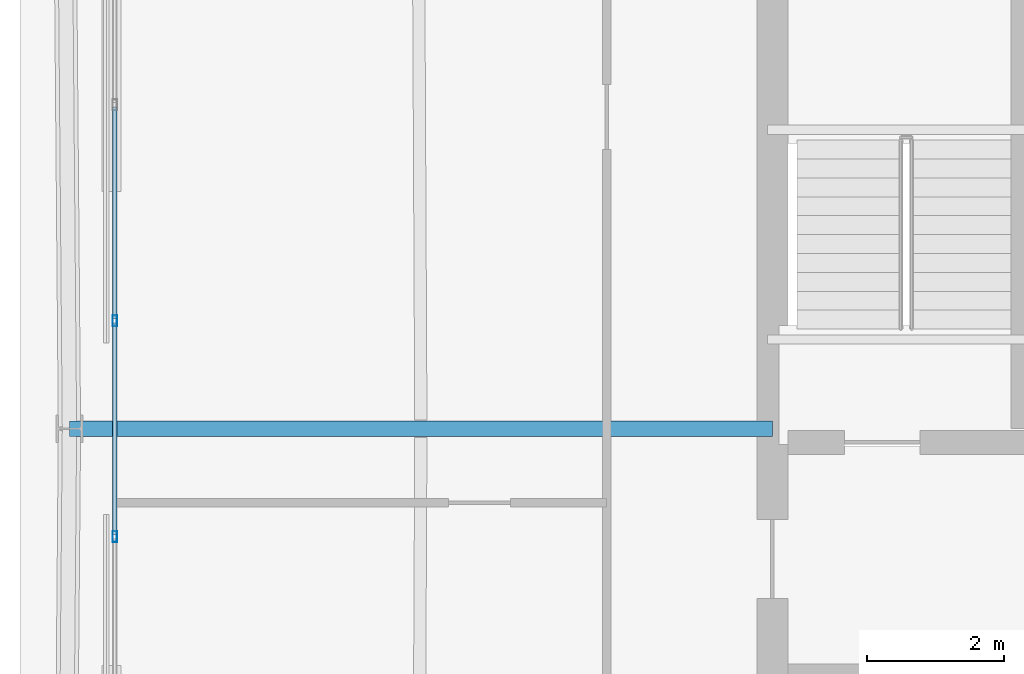
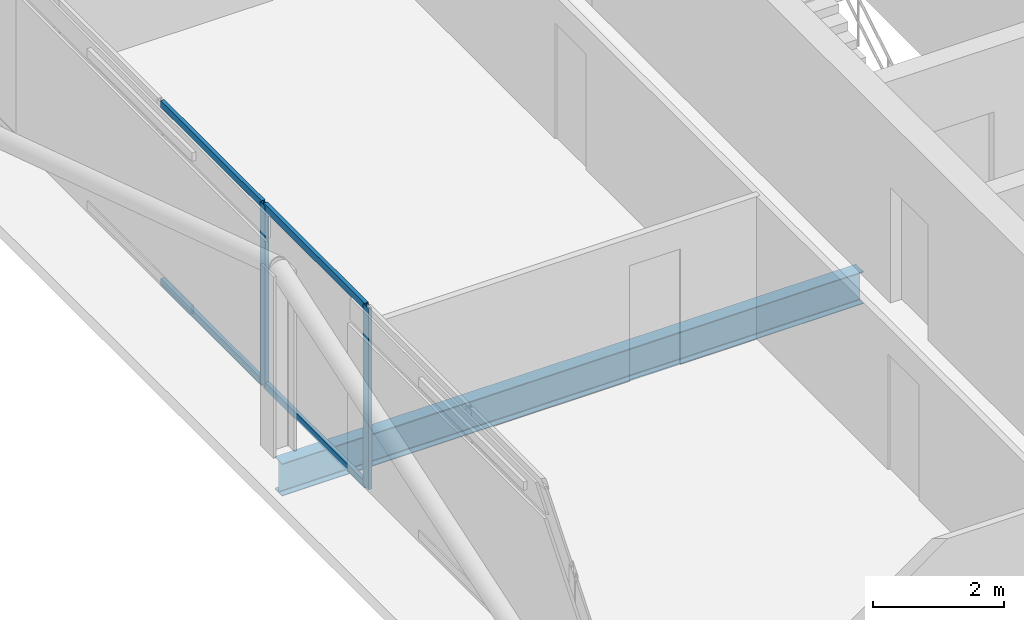
# One storey, part 10 of 26: 6 members, 1 beam, 1 element without a shape of its own.
"""IFC4 building model written with IfcOpenShell, lengths in metres."""

from ifc_helpers import new_model, si_unit, direction, frame, origin, origin_2d, place, context, subcontext, project, spatial, hollow_rectangle, i_section, extrude, material, layer, layer_set, material_profile, profile_set, type_object, element, aggregate, save


model = new_model("IFC4")

# Units and contexts
model_context = context("Model", 3, precision=1e-05, world=origin(), true_north=direction((0.0, 1.0)))
body_context = subcontext(model_context, "Body", "Model", "MODEL_VIEW")
ifc_project = project(units=[si_unit("LENGTHUNIT", "METRE"), si_unit("AREAUNIT", "SQUARE_METRE"), si_unit("VOLUMEUNIT", "CUBIC_METRE"), si_unit("PLANEANGLEUNIT", "RADIAN"), si_unit("MASSUNIT", "GRAM", prefix="KILO")], contexts=[model_context])

# Site, building, storey
site_placement = place(None, origin())
site = spatial("IfcSite", under=ifc_project, at=site_placement, CompositionType="ELEMENT")
building_placement = place(site_placement, origin())
building = spatial("IfcBuilding", under=site, at=building_placement, Name="Caelvoria Tower", CompositionType="ELEMENT")
storey_placement = place(building_placement, frame((0.0, 0.0, 239.39990234375)))
storey = spatial("IfcBuildingStorey", under=building, at=storey_placement, Name="L63", CompositionType="ELEMENT", Elevation=239.39990234375)

# Curtain wall, members
ifc_material_1 = material(Name="Anodised Bronze Aluminium and Low-E Glass", Category="aluminium")
ifc_layer = layer(ifc_material_1, 0.175048828125, Name="Anodised Bronze Aluminium and Low-E Glass")
ifc_layer_set = layer_set([ifc_layer], Name="CW System 4 High-Zone Tapered Crystal Facade - Anodised Bronze Aluminium and Low-E Glass")
curtain_wall_type = type_object("IfcCurtainWallType", Name="CW System 4 High-Zone Tapered Crystal Facade", PredefinedType="NOTDEFINED", material=ifc_layer_set)
curtain_wall_placement = place(storey_placement, origin())
curtain_wall = element("IfcCurtainWall", 1, at=curtain_wall_placement, inside=storey, type_object=curtain_wall_type, Name="CW-04 Curtain Wall L63-E6", PredefinedType="NOTDEFINED")
ifc_material_2 = material(Name="Anodised Bronze Architectural Aluminium", Category="aluminium")
ifc_material_profile_1 = material_profile(ifc_material_2, hollow_rectangle(XDim=0.06494140625, YDim=0.159912109375, WallThickness=0.00390625, at=origin_2d()), Name="Anodised Bronze Architectural Aluminium")
ifc_profile_set_1 = profile_set([ifc_material_profile_1], Name="CW_MULL_65X160 - Anodised Bronze Architectural Aluminium")
member_type_1 = type_object("IfcMemberType", Name="Curtain Wall Mullion 65x160 Bronze Aluminium", PredefinedType="MULLION", material=ifc_profile_set_1)
member_1_placement = place(storey_placement, frame((27.429931640625, 33.571533203125, 0.0), z_axis=(0.0, 0.0, 1.0), x_axis=(1.0, 0.0, 0.0)))
member_1 = element("IfcMember", 2, at=member_1_placement, type_object=member_type_1, Name="CW-04 mullion 4", PredefinedType="MULLION", context=body_context, shape_type="SweptSolid", body=[
    extrude(hollow_rectangle(XDim=0.06494140625, YDim=0.159912109375, WallThickness=0.00390625, at=origin_2d()), origin(), (0.0, 0.0, 1.0), 3.375),
])
member_2_placement = place(storey_placement, frame((27.429931640625, 30.428466796875, 0.0), z_axis=(0.0, 0.0, 1.0), x_axis=(1.0, 0.0, 0.0)))
member_2 = element("IfcMember", 3, at=member_2_placement, type_object=member_type_1, Name="CW-04 mullion 5", PredefinedType="MULLION", context=body_context, shape_type="SweptSolid", body=[
    extrude(hollow_rectangle(XDim=0.06494140625, YDim=0.159912109375, WallThickness=0.00390625, at=origin_2d()), origin(), (0.0, 0.0, 1.0), 3.375),
])
ifc_material_profile_2 = material_profile(ifc_material_2, hollow_rectangle(XDim=0.06494140625, YDim=0.1298828125, WallThickness=0.00341796875, at=origin_2d()), Name="Anodised Bronze Architectural Aluminium")
ifc_profile_set_2 = profile_set([ifc_material_profile_2], Name="CW_TRAN_65X130 - Anodised Bronze Architectural Aluminium")
member_type_2 = type_object("IfcMemberType", Name="Curtain Wall Transom 65x130 Bronze Aluminium", PredefinedType="USERDEFINED", material=ifc_profile_set_2)
member_3_placement = place(storey_placement, frame((27.429931640625, 36.681884765625, 0.03271484375), z_axis=(0.0, -1.0, 0.0), x_axis=(1.0, 0.0, 0.0)))
member_3 = element("IfcMember", 4, at=member_3_placement, type_object=member_type_2, Name="CW-04 transom 3.1", ObjectType="TRANSOM", PredefinedType="USERDEFINED", context=body_context, shape_type="SweptSolid", body=[
    extrude(hollow_rectangle(XDim=0.06494140625, YDim=0.1298828125, WallThickness=0.00341796875, at=origin_2d()), origin(), (0.0, 0.0, 1.0), 3.077880859375),
])
member_4_placement = place(storey_placement, frame((27.429931640625, 36.681884765625, 3.342529296875), z_axis=(0.0, -1.0, 0.0), x_axis=(1.0, 0.0, 0.0)))
member_4 = element("IfcMember", 5, at=member_4_placement, type_object=member_type_2, Name="CW-04 transom 3.2", ObjectType="TRANSOM", PredefinedType="USERDEFINED", context=body_context, shape_type="SweptSolid", body=[
    extrude(hollow_rectangle(XDim=0.06494140625, YDim=0.1298828125, WallThickness=0.00341796875, at=origin_2d()), origin(), (0.0, 0.0, 1.0), 3.077880859375),
])
member_5_placement = place(storey_placement, frame((27.429931640625, 33.538818359375, 0.03271484375), z_axis=(0.0, -1.0, 0.0), x_axis=(1.0, 0.0, 0.0)))
member_5 = element("IfcMember", 6, at=member_5_placement, type_object=member_type_2, Name="CW-04 transom 4.1", ObjectType="TRANSOM", PredefinedType="USERDEFINED", context=body_context, shape_type="SweptSolid", body=[
    extrude(hollow_rectangle(XDim=0.06494140625, YDim=0.1298828125, WallThickness=0.00341796875, at=origin_2d()), origin(), (0.0, 0.0, 1.0), 3.07763671875),
])
member_6_placement = place(storey_placement, frame((27.429931640625, 33.538818359375, 3.342529296875), z_axis=(0.0, -1.0, 0.0), x_axis=(1.0, 0.0, 0.0)))
member_6 = element("IfcMember", 7, at=member_6_placement, type_object=member_type_2, Name="CW-04 transom 4.2", ObjectType="TRANSOM", PredefinedType="USERDEFINED", context=body_context, shape_type="SweptSolid", body=[
    extrude(hollow_rectangle(XDim=0.06494140625, YDim=0.1298828125, WallThickness=0.00341796875, at=origin_2d()), origin(), (0.0, 0.0, 1.0), 3.07763671875),
])
aggregate(curtain_wall, [member_1, member_2, member_3, member_4, member_5, member_6])

# Beam
ifc_material_3 = material(Name="Structural Steel ASTM A992 Gr.50", Category="steel")
ifc_material_profile_3 = material_profile(ifc_material_3, i_section(OverallWidth=0.22802734375, OverallDepth=0.60302734375, WebThickness=0.010498046875, FlangeThickness=0.014892578125, FilletRadius=0.01806640625, at=origin_2d()), Name="Structural Steel ASTM A992 Gr.50")
ifc_profile_set_3 = profile_set([ifc_material_profile_3], Name="W610X101 - Structural Steel ASTM A992 Gr.50")
beam_type = type_object("IfcBeamType", Name="Primary Floor Girder W610X101", PredefinedType="BEAM", material=ifc_profile_set_3)
beam_placement = place(storey_placement, frame((37.0, 32.0, -0.5263671875), z_axis=(-1.0, 0.0, 0.0), x_axis=(0.0, -1.0, 0.0)))
element("IfcBeam", 8, at=beam_placement, inside=storey, type_object=beam_type, Name="Primary Floor Girder L63-10", PredefinedType="BEAM", context=body_context, shape_type="SweptSolid", body=[
    extrude(i_section(OverallWidth=0.22802734375, OverallDepth=0.60302734375, WebThickness=0.010498046875, FlangeThickness=0.014892578125, FilletRadius=0.01806640625, at=origin_2d()), origin(), (0.0, 0.0, 1.0), 10.22998046875),
])

save(model, "model.ifc")
